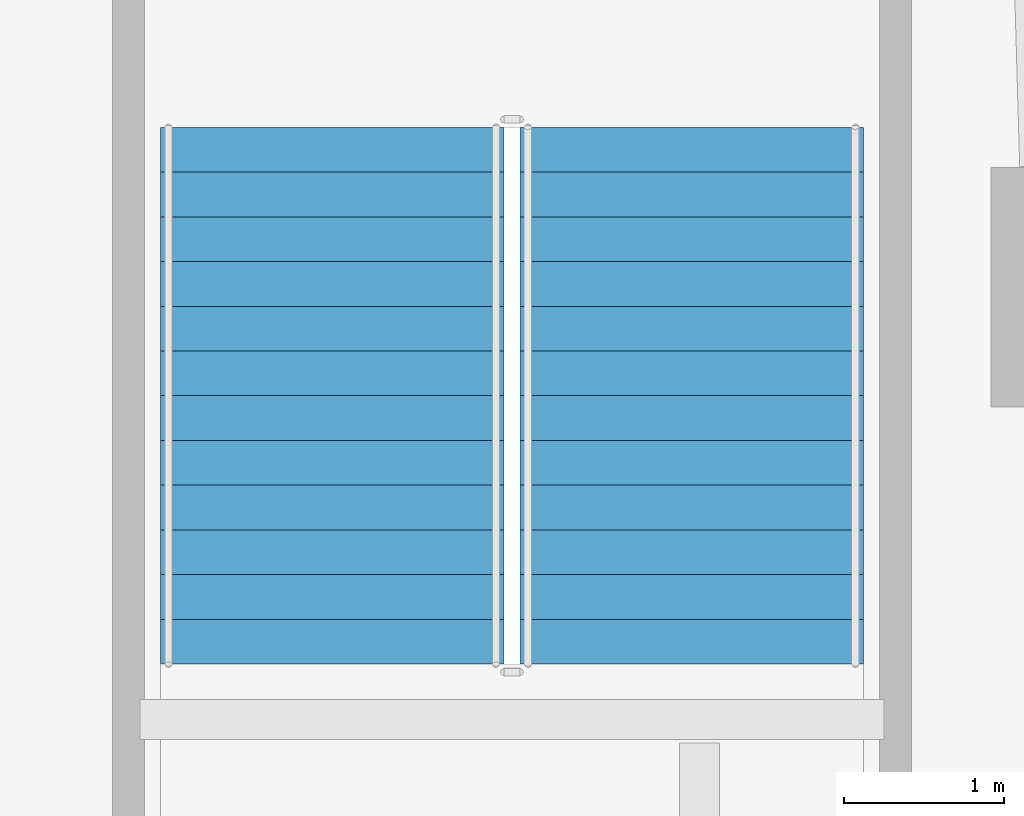
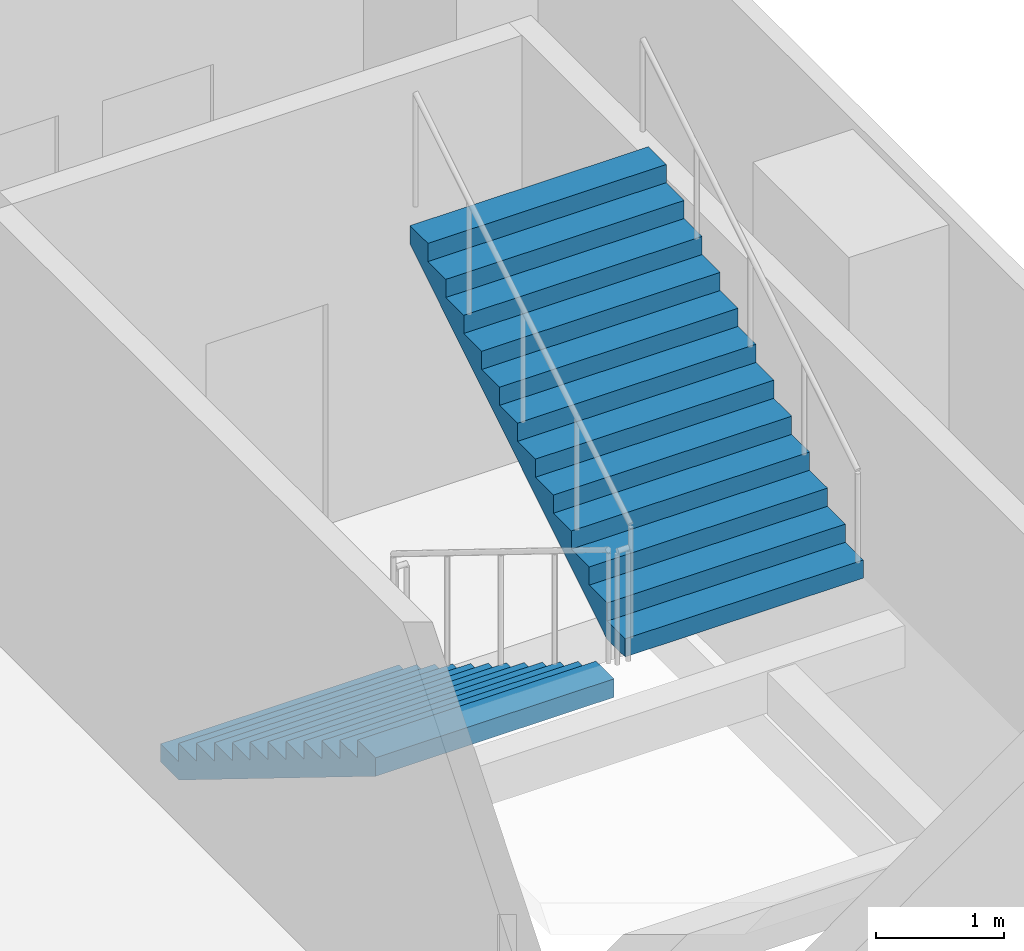
# One storey, part 13 of 21: 2 stair flights, 1 element without a shape of its own.
"""IFC4 building model written with IfcOpenShell, lengths in metres."""

from ifc_helpers import new_model, si_unit, direction, frame, origin, place, context, subcontext, project, spatial, triangles, material, type_object, element, aggregate, save


model = new_model("IFC4")

# Units and contexts
model_context = context("Model", 3, precision=1e-05, world=origin(), true_north=direction((0.0, 1.0)))
body_context = subcontext(model_context, "Body", "Model", "MODEL_VIEW")
ifc_project = project(units=[si_unit("LENGTHUNIT", "METRE"), si_unit("AREAUNIT", "SQUARE_METRE"), si_unit("VOLUMEUNIT", "CUBIC_METRE"), si_unit("PLANEANGLEUNIT", "RADIAN"), si_unit("MASSUNIT", "GRAM", prefix="KILO")], contexts=[model_context])

# Site, building, storey
site_placement = place(None, origin())
site = spatial("IfcSite", under=ifc_project, at=site_placement, CompositionType="ELEMENT")
building_placement = place(site_placement, origin())
building = spatial("IfcBuilding", under=site, at=building_placement, Name="Verdalira Terraces Hotel", CompositionType="ELEMENT")
storey_placement = place(building_placement, frame((0.0, 0.0, 19.0)))
storey = spatial("IfcBuildingStorey", under=building, at=storey_placement, Name="L03", CompositionType="ELEMENT", Elevation=19.0)

# Stair, stair flights
ifc_material_1 = material(Name="Concrete C40", Category="concrete")
stair_type = type_object("IfcStairType", Name="Podium stair 26 risers", PredefinedType="HALF_TURN_STAIR", material=ifc_material_1)
stair_placement = place(storey_placement, origin())
stair = element("IfcStair", 1, at=stair_placement, inside=storey, type_object=stair_type, Name="L03 Exit stair PS4", PredefinedType="HALF_TURN_STAIR")
ifc_material_2 = material(Name="Concrete C40", Category="concrete")
stair_flight_type = type_object("IfcStairFlightType", Name="Podium stair flight 26 risers", PredefinedType="STRAIGHT", material=ifc_material_2)
stair_flight_1_placement = place(storey_placement, frame((19.033447, 1.0, 0.0), z_axis=(0.0, 0.0, 1.0), x_axis=(0.0, -1.0, 0.0)))
stair_flight_1 = element("IfcStairFlight", 2, at=stair_flight_1_placement, type_object=stair_flight_type, Name="PS4 flight 1", NumberOfRisers=13, NumberOfTreads=12, PredefinedType="STRAIGHT", RiserHeight=0.173076923, TreadLength=0.28, context=body_context, shape_type="Tessellation", body=[
    triangles([(0.0, 1.074951, 0.0), (0.285156, 1.074951, 0.0), (3.360107, 1.074951, 1.900635), (0.0, -1.074951, 0.0), (0.285156, -1.074951, 0.0), (3.360107, -1.074951, 1.900635), (3.360107, 1.074951, 2.076904), (3.080078, 1.074951, 2.076904), (3.360107, -1.074951, 2.076904), (3.080078, -1.074951, 2.076904), (3.080078, 1.074951, 1.903809), (3.080078, -1.074951, 1.903809), (2.800049, 1.074951, 1.903809), (2.800049, -1.074951, 1.903809), (2.800049, 1.074951, 1.730713), (2.800049, -1.074951, 1.730713), (2.52002, 1.074951, 1.730713), (2.52002, 1.074951, 1.557617), (2.52002, -1.074951, 1.730713), (2.52002, -1.074951, 1.557617), (2.23999, 1.074951, 1.557617), (2.23999, 1.074951, 1.384521), (2.23999, -1.074951, 1.557617), (2.23999, -1.074951, 1.384521), (1.959961, 1.074951, 1.384521), (1.959961, 1.074951, 1.211426), (1.959961, -1.074951, 1.384521), (1.959961, -1.074951, 1.211426), (1.679932, 1.074951, 1.211426), (1.679932, 1.074951, 1.038574), (1.679932, -1.074951, 1.211426), (1.679932, -1.074951, 1.038574), (1.399902, 1.074951, 1.038574), (1.399902, 1.074951, 0.865479), (1.399902, -1.074951, 1.038574), (1.399902, -1.074951, 0.865479), (1.120117, 1.074951, 0.865479), (1.120117, 1.074951, 0.692383), (1.120117, -1.074951, 0.865479), (1.120117, -1.074951, 0.692383), (0.840088, 1.074951, 0.692383), (0.840088, 1.074951, 0.519287), (0.840088, -1.074951, 0.692383), (0.840088, -1.074951, 0.519287), (0.560059, 1.074951, 0.519287), (0.560059, 1.074951, 0.346191), (0.560059, -1.074951, 0.519287), (0.560059, -1.074951, 0.346191), (0.280029, 1.074951, 0.346191), (0.280029, 1.074951, 0.173096), (0.280029, -1.074951, 0.346191), (0.280029, -1.074951, 0.173096), (0.0, 1.074951, 0.173096), (0.0, -1.074951, 0.173096), (0.0, -1.007767, 0.0), (0.0, -1.007767, 0.173096), (0.0, -0.940582, 0.0), (0.0, -0.940582, 0.173096), (0.0, -0.873398, 0.0), (0.0, -0.873398, 0.173096), (0.0, -0.806213, 0.0), (0.0, -0.806213, 0.173096), (0.0, -0.739029, 0.0), (0.0, -0.739029, 0.173096), (0.0, -0.671844, 0.0), (0.0, -0.671844, 0.173096), (0.0, -0.60466, 0.0), (0.0, -0.60466, 0.173096), (0.0, -0.537476, 0.0), (0.0, -0.537476, 0.173096), (0.0, -0.470291, 0.0), (0.0, -0.470291, 0.173096), (0.0, -0.403107, 0.0), (0.0, -0.403107, 0.173096), (0.0, -0.335922, 0.0), (0.0, -0.335922, 0.173096), (0.0, -0.268738, 0.0), (0.0, -0.268738, 0.173096), (0.0, -0.201553, 0.0), (0.0, -0.201553, 0.173096), (0.0, -0.134369, 0.0), (0.0, -0.134369, 0.173096), (0.0, -0.067184, 0.0), (0.0, -0.067184, 0.173096), (0.0, 0.0, 0.0), (0.0, 0.0, 0.173096), (0.0, 0.067184, 0.0), (0.0, 0.067184, 0.173096), (0.0, 0.134369, 0.0), (0.0, 0.134369, 0.173096), (0.0, 0.201553, 0.0), (0.0, 0.201553, 0.173096), (0.0, 0.268738, 0.0), (0.0, 0.268738, 0.173096), (0.0, 0.335922, 0.0), (0.0, 0.335922, 0.173096), (0.0, 0.403107, 0.0), (0.0, 0.403107, 0.173096), (0.0, 0.470291, 0.0), (0.0, 0.470291, 0.173096), (0.0, 0.537476, 0.0), (0.0, 0.537476, 0.173096), (0.0, 0.60466, 0.0), (0.0, 0.60466, 0.173096), (0.0, 0.671844, 0.0), (0.0, 0.671844, 0.173096), (0.0, 0.739029, 0.0), (0.0, 0.739029, 0.173096), (0.0, 0.806213, 0.0), (0.0, 0.806213, 0.173096), (0.0, 0.873398, 0.0), (0.0, 0.873398, 0.173096), (0.0, 0.940582, 0.0), (0.0, 0.940582, 0.173096), (0.0, 1.007767, 0.0), (0.0, 1.007767, 0.173096), (3.360107, -1.007767, 2.076904), (3.360107, -0.940582, 2.076904), (3.360107, -0.873398, 2.076904), (3.360107, -0.806213, 2.076904), (3.360107, -0.739029, 2.076904), (3.360107, -0.671844, 2.076904), (3.360107, -0.60466, 2.076904), (3.360107, -0.537476, 2.076904), (3.360107, -0.470291, 2.076904), (3.360107, -0.403107, 2.076904), (3.360107, -0.335922, 2.076904), (3.360107, -0.268738, 2.076904), (3.360107, -0.201553, 2.076904), (3.360107, -0.134369, 2.076904), (3.360107, -0.067184, 2.076904), (3.360107, 0.0, 2.076904), (3.360107, 0.067184, 2.076904), (3.360107, 0.134369, 2.076904), (3.360107, 0.201553, 2.076904), (3.360107, 0.268738, 2.076904), (3.360107, 0.335922, 2.076904), (3.360107, 0.403107, 2.076904), (3.360107, 0.470291, 2.076904), (3.360107, 0.537476, 2.076904), (3.360107, 0.60466, 2.076904), (3.360107, 0.671844, 2.076904), (3.360107, 0.739029, 2.076904), (3.360107, 0.806213, 2.076904), (3.360107, 0.873398, 2.076904), (3.360107, 0.940582, 2.076904), (3.360107, 1.007767, 2.076904), (3.360107, -1.007767, 1.900635), (3.360107, -0.940582, 1.900635), (3.360107, -0.873398, 1.900635), (3.360107, -0.806213, 1.900635), (3.360107, -0.739029, 1.900635), (3.360107, -0.671844, 1.900635), (3.360107, -0.60466, 1.900635), (3.360107, -0.537476, 1.900635), (3.360107, -0.470291, 1.900635), (3.360107, -0.403107, 1.900635), (3.360107, -0.335922, 1.900635), (3.360107, -0.268738, 1.900635), (3.360107, -0.201553, 1.900635), (3.360107, -0.134369, 1.900635), (3.360107, -0.067184, 1.900635), (3.360107, 0.0, 1.900635), (3.360107, 0.067184, 1.900635), (3.360107, 0.134369, 1.900635), (3.360107, 0.201553, 1.900635), (3.360107, 0.268738, 1.900635), (3.360107, 0.335922, 1.900635), (3.360107, 0.403107, 1.900635), (3.360107, 0.470291, 1.900635), (3.360107, 0.537476, 1.900635), (3.360107, 0.60466, 1.900635), (3.360107, 0.671844, 1.900635), (3.360107, 0.739029, 1.900635), (3.360107, 0.806213, 1.900635), (3.360107, 0.873398, 1.900635), (3.360107, 0.940582, 1.900635), (3.360107, 1.007767, 1.900635)], [[1, 3, 2], [4, 5, 6], [3, 8, 7], [6, 9, 10], [3, 11, 8], [6, 10, 12], [3, 13, 11], [6, 12, 14], [3, 15, 13], [6, 14, 16], [15, 18, 17], [16, 19, 20], [3, 18, 15], [6, 16, 20], [18, 22, 21], [20, 23, 24], [3, 22, 18], [6, 20, 24], [22, 26, 25], [24, 27, 28], [3, 26, 22], [6, 24, 28], [1, 26, 3], [4, 6, 28], [26, 30, 29], [28, 31, 32], [30, 34, 33], [32, 35, 36], [26, 34, 30], [28, 32, 36], [34, 38, 37], [36, 39, 40], [26, 38, 34], [28, 36, 40], [38, 42, 41], [40, 43, 44], [26, 42, 38], [28, 40, 44], [42, 46, 45], [44, 47, 48], [26, 46, 42], [28, 44, 48], [46, 50, 49], [48, 51, 52], [26, 50, 46], [28, 48, 52], [1, 50, 26], [4, 28, 52], [50, 1, 53], [52, 54, 4], [4, 56, 55], [4, 54, 56], [55, 58, 57], [55, 56, 58], [57, 60, 59], [57, 58, 60], [59, 62, 61], [59, 60, 62], [61, 64, 63], [61, 62, 64], [63, 66, 65], [63, 64, 66], [65, 68, 67], [65, 66, 68], [67, 70, 69], [67, 68, 70], [69, 72, 71], [69, 70, 72], [71, 74, 73], [71, 72, 74], [73, 76, 75], [73, 74, 76], [75, 78, 77], [75, 76, 78], [77, 80, 79], [77, 78, 80], [79, 82, 81], [79, 80, 82], [81, 84, 83], [81, 82, 84], [83, 86, 85], [83, 84, 86], [85, 88, 87], [85, 86, 88], [87, 90, 89], [87, 88, 90], [89, 92, 91], [89, 90, 92], [91, 94, 93], [91, 92, 94], [93, 96, 95], [93, 94, 96], [95, 98, 97], [95, 96, 98], [97, 100, 99], [97, 98, 100], [99, 102, 101], [99, 100, 102], [101, 104, 103], [101, 102, 104], [103, 106, 105], [103, 104, 106], [105, 108, 107], [105, 106, 108], [107, 110, 109], [107, 108, 110], [109, 112, 111], [109, 110, 112], [111, 114, 113], [111, 112, 114], [113, 116, 115], [113, 114, 116], [115, 53, 1], [115, 116, 53], [54, 52, 56], [56, 52, 58], [58, 52, 60], [60, 52, 62], [62, 52, 64], [64, 52, 66], [66, 52, 68], [68, 52, 70], [70, 52, 72], [72, 52, 74], [74, 52, 76], [76, 52, 78], [78, 52, 80], [80, 52, 82], [82, 52, 84], [84, 52, 86], [86, 52, 88], [88, 52, 90], [90, 52, 92], [92, 52, 94], [94, 52, 96], [96, 52, 98], [98, 52, 100], [100, 52, 102], [102, 52, 104], [104, 52, 106], [106, 52, 108], [108, 52, 110], [110, 52, 112], [112, 52, 114], [114, 52, 116], [116, 52, 53], [53, 52, 50], [52, 49, 50], [52, 51, 49], [51, 46, 49], [51, 48, 46], [48, 45, 46], [48, 47, 45], [47, 42, 45], [47, 44, 42], [44, 41, 42], [44, 43, 41], [43, 38, 41], [43, 40, 38], [40, 37, 38], [40, 39, 37], [39, 34, 37], [39, 36, 34], [36, 33, 34], [36, 35, 33], [35, 30, 33], [35, 32, 30], [32, 29, 30], [32, 31, 29], [31, 26, 29], [31, 28, 26], [28, 25, 26], [28, 27, 25], [27, 22, 25], [27, 24, 22], [24, 21, 22], [24, 23, 21], [23, 18, 21], [23, 20, 18], [20, 17, 18], [20, 19, 17], [19, 15, 17], [19, 16, 15], [16, 13, 15], [16, 14, 13], [14, 11, 13], [14, 12, 11], [12, 8, 11], [12, 10, 8], [9, 117, 10], [117, 118, 10], [118, 119, 10], [119, 120, 10], [120, 121, 10], [121, 122, 10], [122, 123, 10], [123, 124, 10], [124, 125, 10], [125, 126, 10], [126, 127, 10], [127, 128, 10], [128, 129, 10], [129, 130, 10], [130, 131, 10], [131, 132, 10], [132, 133, 10], [133, 134, 10], [134, 135, 10], [135, 136, 10], [136, 137, 10], [137, 138, 10], [138, 139, 10], [139, 140, 10], [140, 141, 10], [141, 142, 10], [142, 143, 10], [143, 144, 10], [144, 145, 10], [145, 146, 10], [146, 147, 10], [147, 7, 10], [7, 8, 10], [9, 148, 117], [9, 6, 148], [117, 149, 118], [117, 148, 149], [118, 150, 119], [118, 149, 150], [119, 151, 120], [119, 150, 151], [120, 152, 121], [120, 151, 152], [121, 153, 122], [121, 152, 153], [122, 154, 123], [122, 153, 154], [123, 155, 124], [123, 154, 155], [124, 156, 125], [124, 155, 156], [125, 157, 126], [125, 156, 157], [126, 158, 127], [126, 157, 158], [127, 159, 128], [127, 158, 159], [128, 160, 129], [128, 159, 160], [129, 161, 130], [129, 160, 161], [130, 162, 131], [130, 161, 162], [131, 163, 132], [131, 162, 163], [132, 164, 133], [132, 163, 164], [133, 165, 134], [133, 164, 165], [134, 166, 135], [134, 165, 166], [135, 167, 136], [135, 166, 167], [136, 168, 137], [136, 167, 168], [137, 169, 138], [137, 168, 169], [138, 170, 139], [138, 169, 170], [139, 171, 140], [139, 170, 171], [140, 172, 141], [140, 171, 172], [141, 173, 142], [141, 172, 173], [142, 174, 143], [142, 173, 174], [143, 175, 144], [143, 174, 175], [144, 176, 145], [144, 175, 176], [145, 177, 146], [145, 176, 177], [146, 178, 147], [146, 177, 178], [147, 3, 7], [147, 178, 3], [6, 5, 148], [148, 5, 149], [149, 5, 150], [150, 5, 151], [151, 5, 152], [152, 5, 153], [153, 5, 154], [154, 5, 155], [155, 5, 156], [156, 5, 157], [157, 5, 158], [158, 5, 159], [159, 5, 160], [160, 5, 161], [161, 5, 162], [162, 5, 163], [163, 5, 164], [164, 5, 165], [165, 5, 166], [166, 5, 167], [167, 5, 168], [168, 5, 169], [169, 5, 170], [170, 5, 171], [171, 5, 172], [172, 5, 173], [173, 5, 174], [174, 5, 175], [175, 5, 176], [176, 5, 177], [177, 5, 178], [178, 5, 3], [3, 5, 2], [4, 55, 5], [55, 57, 5], [57, 59, 5], [59, 61, 5], [61, 63, 5], [63, 65, 5], [65, 67, 5], [67, 69, 5], [69, 71, 5], [71, 73, 5], [73, 75, 5], [75, 77, 5], [77, 79, 5], [79, 81, 5], [81, 83, 5], [83, 85, 5], [85, 87, 5], [87, 89, 5], [89, 91, 5], [91, 93, 5], [93, 95, 5], [95, 97, 5], [97, 99, 5], [99, 101, 5], [101, 103, 5], [103, 105, 5], [105, 107, 5], [107, 109, 5], [109, 111, 5], [111, 113, 5], [113, 115, 5], [115, 1, 5], [1, 2, 5]], closed=True),
])
stair_flight_2_placement = place(storey_placement, frame((21.283447, -2.360107, 2.25), z_axis=(0.0, 0.0, 1.0), x_axis=(0.0, 1.0, 0.0)))
stair_flight_2 = element("IfcStairFlight", 3, at=stair_flight_2_placement, type_object=stair_flight_type, Name="PS4 flight 2", NumberOfRisers=13, NumberOfTreads=12, PredefinedType="STRAIGHT", RiserHeight=0.173076923, TreadLength=0.28, context=body_context, shape_type="Tessellation", body=[
    triangles([(0.0, 1.074951, 0.0), (0.285156, 1.074951, 0.0), (3.360107, 1.074951, 1.900635), (0.0, -1.074951, 0.0), (0.285156, -1.074951, 0.0), (3.360107, -1.074951, 1.900635), (3.360107, 1.074951, 2.076904), (3.080078, 1.074951, 2.076904), (3.360107, -1.074951, 2.076904), (3.080078, -1.074951, 2.076904), (3.080078, 1.074951, 1.903809), (3.080078, -1.074951, 1.903809), (2.800049, 1.074951, 1.903809), (2.800049, -1.074951, 1.903809), (2.800049, 1.074951, 1.730713), (2.800049, -1.074951, 1.730713), (2.52002, 1.074951, 1.730713), (2.52002, 1.074951, 1.557617), (2.52002, -1.074951, 1.730713), (2.52002, -1.074951, 1.557617), (2.23999, 1.074951, 1.557617), (2.23999, 1.074951, 1.384521), (2.23999, -1.074951, 1.557617), (2.23999, -1.074951, 1.384521), (1.959961, 1.074951, 1.384521), (1.959961, 1.074951, 1.211426), (1.959961, -1.074951, 1.384521), (1.959961, -1.074951, 1.211426), (1.679932, 1.074951, 1.211426), (1.679932, 1.074951, 1.038574), (1.679932, -1.074951, 1.211426), (1.679932, -1.074951, 1.038574), (1.399902, 1.074951, 1.038574), (1.399902, 1.074951, 0.865479), (1.399902, -1.074951, 1.038574), (1.399902, -1.074951, 0.865479), (1.120117, 1.074951, 0.865479), (1.120117, 1.074951, 0.692383), (1.120117, -1.074951, 0.865479), (1.120117, -1.074951, 0.692383), (0.840088, 1.074951, 0.692383), (0.840088, 1.074951, 0.519287), (0.840088, -1.074951, 0.692383), (0.840088, -1.074951, 0.519287), (0.560059, 1.074951, 0.519287), (0.560059, 1.074951, 0.346191), (0.560059, -1.074951, 0.519287), (0.560059, -1.074951, 0.346191), (0.280029, 1.074951, 0.346191), (0.280029, 1.074951, 0.173096), (0.280029, -1.074951, 0.346191), (0.280029, -1.074951, 0.173096), (0.0, 1.074951, 0.173096), (0.0, -1.074951, 0.173096), (0.0, -1.007767, 0.0), (0.0, -1.007767, 0.173096), (0.0, -0.940582, 0.0), (0.0, -0.940582, 0.173096), (0.0, -0.873398, 0.0), (0.0, -0.873398, 0.173096), (0.0, -0.806213, 0.0), (0.0, -0.806213, 0.173096), (0.0, -0.739029, 0.0), (0.0, -0.739029, 0.173096), (0.0, -0.671844, 0.0), (0.0, -0.671844, 0.173096), (0.0, -0.60466, 0.0), (0.0, -0.60466, 0.173096), (0.0, -0.537476, 0.0), (0.0, -0.537476, 0.173096), (0.0, -0.470291, 0.0), (0.0, -0.470291, 0.173096), (0.0, -0.403107, 0.0), (0.0, -0.403107, 0.173096), (0.0, -0.335922, 0.0), (0.0, -0.335922, 0.173096), (0.0, -0.268738, 0.0), (0.0, -0.268738, 0.173096), (0.0, -0.201553, 0.0), (0.0, -0.201553, 0.173096), (0.0, -0.134369, 0.0), (0.0, -0.134369, 0.173096), (0.0, -0.067184, 0.0), (0.0, -0.067184, 0.173096), (0.0, 0.0, 0.0), (0.0, 0.0, 0.173096), (0.0, 0.067184, 0.0), (0.0, 0.067184, 0.173096), (0.0, 0.134369, 0.0), (0.0, 0.134369, 0.173096), (0.0, 0.201553, 0.0), (0.0, 0.201553, 0.173096), (0.0, 0.268738, 0.0), (0.0, 0.268738, 0.173096), (0.0, 0.335922, 0.0), (0.0, 0.335922, 0.173096), (0.0, 0.403107, 0.0), (0.0, 0.403107, 0.173096), (0.0, 0.470291, 0.0), (0.0, 0.470291, 0.173096), (0.0, 0.537476, 0.0), (0.0, 0.537476, 0.173096), (0.0, 0.60466, 0.0), (0.0, 0.60466, 0.173096), (0.0, 0.671844, 0.0), (0.0, 0.671844, 0.173096), (0.0, 0.739029, 0.0), (0.0, 0.739029, 0.173096), (0.0, 0.806213, 0.0), (0.0, 0.806213, 0.173096), (0.0, 0.873398, 0.0), (0.0, 0.873398, 0.173096), (0.0, 0.940582, 0.0), (0.0, 0.940582, 0.173096), (0.0, 1.007767, 0.0), (0.0, 1.007767, 0.173096), (3.360107, -1.007767, 2.076904), (3.360107, -0.940582, 2.076904), (3.360107, -0.873398, 2.076904), (3.360107, -0.806213, 2.076904), (3.360107, -0.739029, 2.076904), (3.360107, -0.671844, 2.076904), (3.360107, -0.60466, 2.076904), (3.360107, -0.537476, 2.076904), (3.360107, -0.470291, 2.076904), (3.360107, -0.403107, 2.076904), (3.360107, -0.335922, 2.076904), (3.360107, -0.268738, 2.076904), (3.360107, -0.201553, 2.076904), (3.360107, -0.134369, 2.076904), (3.360107, -0.067184, 2.076904), (3.360107, 0.0, 2.076904), (3.360107, 0.067184, 2.076904), (3.360107, 0.134369, 2.076904), (3.360107, 0.201553, 2.076904), (3.360107, 0.268738, 2.076904), (3.360107, 0.335922, 2.076904), (3.360107, 0.403107, 2.076904), (3.360107, 0.470291, 2.076904), (3.360107, 0.537476, 2.076904), (3.360107, 0.60466, 2.076904), (3.360107, 0.671844, 2.076904), (3.360107, 0.739029, 2.076904), (3.360107, 0.806213, 2.076904), (3.360107, 0.873398, 2.076904), (3.360107, 0.940582, 2.076904), (3.360107, 1.007767, 2.076904), (3.360107, -1.007767, 1.900635), (3.360107, -0.940582, 1.900635), (3.360107, -0.873398, 1.900635), (3.360107, -0.806213, 1.900635), (3.360107, -0.739029, 1.900635), (3.360107, -0.671844, 1.900635), (3.360107, -0.60466, 1.900635), (3.360107, -0.537476, 1.900635), (3.360107, -0.470291, 1.900635), (3.360107, -0.403107, 1.900635), (3.360107, -0.335922, 1.900635), (3.360107, -0.268738, 1.900635), (3.360107, -0.201553, 1.900635), (3.360107, -0.134369, 1.900635), (3.360107, -0.067184, 1.900635), (3.360107, 0.0, 1.900635), (3.360107, 0.067184, 1.900635), (3.360107, 0.134369, 1.900635), (3.360107, 0.201553, 1.900635), (3.360107, 0.268738, 1.900635), (3.360107, 0.335922, 1.900635), (3.360107, 0.403107, 1.900635), (3.360107, 0.470291, 1.900635), (3.360107, 0.537476, 1.900635), (3.360107, 0.60466, 1.900635), (3.360107, 0.671844, 1.900635), (3.360107, 0.739029, 1.900635), (3.360107, 0.806213, 1.900635), (3.360107, 0.873398, 1.900635), (3.360107, 0.940582, 1.900635), (3.360107, 1.007767, 1.900635)], [[1, 3, 2], [4, 5, 6], [3, 8, 7], [6, 9, 10], [3, 11, 8], [6, 10, 12], [3, 13, 11], [6, 12, 14], [3, 15, 13], [6, 14, 16], [15, 18, 17], [16, 19, 20], [3, 18, 15], [6, 16, 20], [18, 22, 21], [20, 23, 24], [3, 22, 18], [6, 20, 24], [22, 26, 25], [24, 27, 28], [3, 26, 22], [6, 24, 28], [1, 26, 3], [4, 6, 28], [26, 30, 29], [28, 31, 32], [30, 34, 33], [32, 35, 36], [26, 34, 30], [28, 32, 36], [34, 38, 37], [36, 39, 40], [26, 38, 34], [28, 36, 40], [38, 42, 41], [40, 43, 44], [26, 42, 38], [28, 40, 44], [42, 46, 45], [44, 47, 48], [26, 46, 42], [28, 44, 48], [46, 50, 49], [48, 51, 52], [26, 50, 46], [28, 48, 52], [1, 50, 26], [4, 28, 52], [50, 1, 53], [52, 54, 4], [4, 56, 55], [4, 54, 56], [55, 58, 57], [55, 56, 58], [57, 60, 59], [57, 58, 60], [59, 62, 61], [59, 60, 62], [61, 64, 63], [61, 62, 64], [63, 66, 65], [63, 64, 66], [65, 68, 67], [65, 66, 68], [67, 70, 69], [67, 68, 70], [69, 72, 71], [69, 70, 72], [71, 74, 73], [71, 72, 74], [73, 76, 75], [73, 74, 76], [75, 78, 77], [75, 76, 78], [77, 80, 79], [77, 78, 80], [79, 82, 81], [79, 80, 82], [81, 84, 83], [81, 82, 84], [83, 86, 85], [83, 84, 86], [85, 88, 87], [85, 86, 88], [87, 90, 89], [87, 88, 90], [89, 92, 91], [89, 90, 92], [91, 94, 93], [91, 92, 94], [93, 96, 95], [93, 94, 96], [95, 98, 97], [95, 96, 98], [97, 100, 99], [97, 98, 100], [99, 102, 101], [99, 100, 102], [101, 104, 103], [101, 102, 104], [103, 106, 105], [103, 104, 106], [105, 108, 107], [105, 106, 108], [107, 110, 109], [107, 108, 110], [109, 112, 111], [109, 110, 112], [111, 114, 113], [111, 112, 114], [113, 116, 115], [113, 114, 116], [115, 53, 1], [115, 116, 53], [54, 52, 56], [56, 52, 58], [58, 52, 60], [60, 52, 62], [62, 52, 64], [64, 52, 66], [66, 52, 68], [68, 52, 70], [70, 52, 72], [72, 52, 74], [74, 52, 76], [76, 52, 78], [78, 52, 80], [80, 52, 82], [82, 52, 84], [84, 52, 86], [86, 52, 88], [88, 52, 90], [90, 52, 92], [92, 52, 94], [94, 52, 96], [96, 52, 98], [98, 52, 100], [100, 52, 102], [102, 52, 104], [104, 52, 106], [106, 52, 108], [108, 52, 110], [110, 52, 112], [112, 52, 114], [114, 52, 116], [116, 52, 53], [53, 52, 50], [52, 49, 50], [52, 51, 49], [51, 46, 49], [51, 48, 46], [48, 45, 46], [48, 47, 45], [47, 42, 45], [47, 44, 42], [44, 41, 42], [44, 43, 41], [43, 38, 41], [43, 40, 38], [40, 37, 38], [40, 39, 37], [39, 34, 37], [39, 36, 34], [36, 33, 34], [36, 35, 33], [35, 30, 33], [35, 32, 30], [32, 29, 30], [32, 31, 29], [31, 26, 29], [31, 28, 26], [28, 25, 26], [28, 27, 25], [27, 22, 25], [27, 24, 22], [24, 21, 22], [24, 23, 21], [23, 18, 21], [23, 20, 18], [20, 17, 18], [20, 19, 17], [19, 15, 17], [19, 16, 15], [16, 13, 15], [16, 14, 13], [14, 11, 13], [14, 12, 11], [12, 8, 11], [12, 10, 8], [9, 117, 10], [117, 118, 10], [118, 119, 10], [119, 120, 10], [120, 121, 10], [121, 122, 10], [122, 123, 10], [123, 124, 10], [124, 125, 10], [125, 126, 10], [126, 127, 10], [127, 128, 10], [128, 129, 10], [129, 130, 10], [130, 131, 10], [131, 132, 10], [132, 133, 10], [133, 134, 10], [134, 135, 10], [135, 136, 10], [136, 137, 10], [137, 138, 10], [138, 139, 10], [139, 140, 10], [140, 141, 10], [141, 142, 10], [142, 143, 10], [143, 144, 10], [144, 145, 10], [145, 146, 10], [146, 147, 10], [147, 7, 10], [7, 8, 10], [9, 148, 117], [9, 6, 148], [117, 149, 118], [117, 148, 149], [118, 150, 119], [118, 149, 150], [119, 151, 120], [119, 150, 151], [120, 152, 121], [120, 151, 152], [121, 153, 122], [121, 152, 153], [122, 154, 123], [122, 153, 154], [123, 155, 124], [123, 154, 155], [124, 156, 125], [124, 155, 156], [125, 157, 126], [125, 156, 157], [126, 158, 127], [126, 157, 158], [127, 159, 128], [127, 158, 159], [128, 160, 129], [128, 159, 160], [129, 161, 130], [129, 160, 161], [130, 162, 131], [130, 161, 162], [131, 163, 132], [131, 162, 163], [132, 164, 133], [132, 163, 164], [133, 165, 134], [133, 164, 165], [134, 166, 135], [134, 165, 166], [135, 167, 136], [135, 166, 167], [136, 168, 137], [136, 167, 168], [137, 169, 138], [137, 168, 169], [138, 170, 139], [138, 169, 170], [139, 171, 140], [139, 170, 171], [140, 172, 141], [140, 171, 172], [141, 173, 142], [141, 172, 173], [142, 174, 143], [142, 173, 174], [143, 175, 144], [143, 174, 175], [144, 176, 145], [144, 175, 176], [145, 177, 146], [145, 176, 177], [146, 178, 147], [146, 177, 178], [147, 3, 7], [147, 178, 3], [6, 5, 148], [148, 5, 149], [149, 5, 150], [150, 5, 151], [151, 5, 152], [152, 5, 153], [153, 5, 154], [154, 5, 155], [155, 5, 156], [156, 5, 157], [157, 5, 158], [158, 5, 159], [159, 5, 160], [160, 5, 161], [161, 5, 162], [162, 5, 163], [163, 5, 164], [164, 5, 165], [165, 5, 166], [166, 5, 167], [167, 5, 168], [168, 5, 169], [169, 5, 170], [170, 5, 171], [171, 5, 172], [172, 5, 173], [173, 5, 174], [174, 5, 175], [175, 5, 176], [176, 5, 177], [177, 5, 178], [178, 5, 3], [3, 5, 2], [4, 55, 5], [55, 57, 5], [57, 59, 5], [59, 61, 5], [61, 63, 5], [63, 65, 5], [65, 67, 5], [67, 69, 5], [69, 71, 5], [71, 73, 5], [73, 75, 5], [75, 77, 5], [77, 79, 5], [79, 81, 5], [81, 83, 5], [83, 85, 5], [85, 87, 5], [87, 89, 5], [89, 91, 5], [91, 93, 5], [93, 95, 5], [95, 97, 5], [97, 99, 5], [99, 101, 5], [101, 103, 5], [103, 105, 5], [105, 107, 5], [107, 109, 5], [109, 111, 5], [111, 113, 5], [113, 115, 5], [115, 1, 5], [1, 2, 5]], closed=True),
])
aggregate(stair, [stair_flight_1, stair_flight_2])

save(model, "model.ifc")
